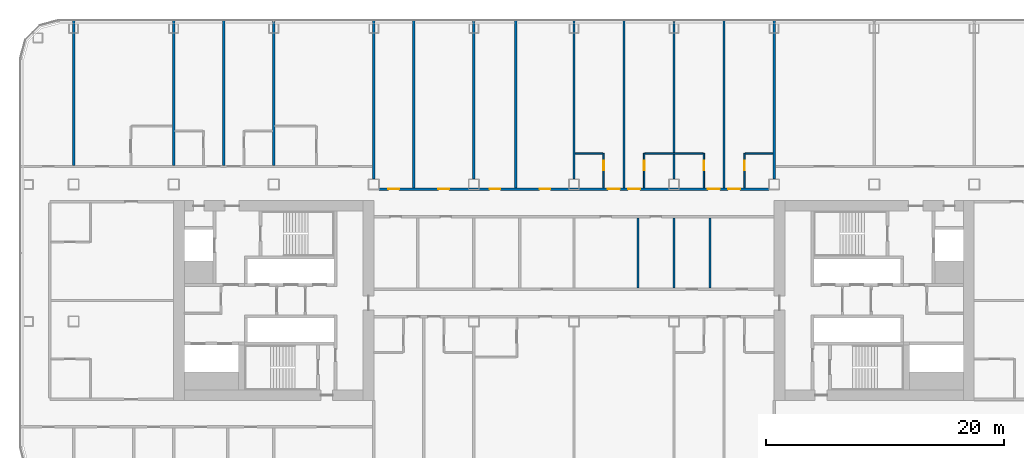
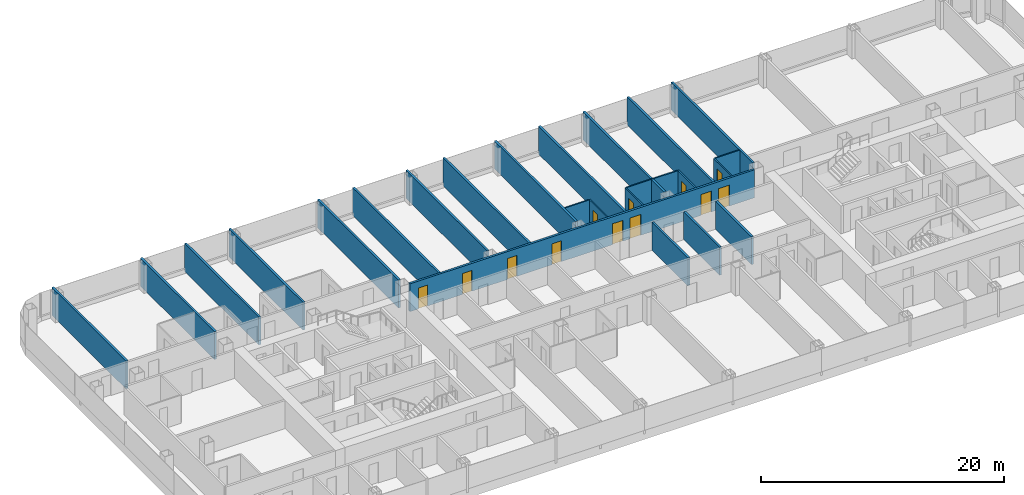
# One storey, part 18 of 29: 24 walls, 12 doors, 12 openings.
"""IFC4 building model written with IfcOpenShell, lengths in metres."""

import ifcopenshell
import ifcopenshell.guid

model = None  # the IFC model being written
_history = None  # IfcOwnerHistory: only IFC2X3 demands one
_inside = {}  # id of a spatial element -> (the spatial element, [elements in it])
_under = {}  # id of a project, library or spatial element -> (it, [spatial elements below it])
_declared = {}  # id of a project -> (the project, [libraries it declares])
_typed = {}  # id of a type object -> (the type object, [elements of that type])
_made_of = {}  # id of a material, layer set ... -> (it, [elements and type objects made of it])


def new_model(schema):
    """Start an empty IFC model of exactly this schema.

    Asked for "IFC4X3", IfcOpenShell would pick the latest addendum, in which some entities
    have other attributes; the version numbers below select the first issue.
    IFC2X3 requires an IfcOwnerHistory on every rooted entity: one is made here for all.
    """
    global model, _history
    if schema == "IFC4X3":
        model = ifcopenshell.file(schema_version=(4, 3, 0, 0))
    else:
        model = ifcopenshell.file(schema=schema)
    _inside.clear()
    _under.clear()
    _declared.clear()
    _typed.clear()
    _made_of.clear()
    _history = None
    if model.schema == "IFC2X3":
        org = make("IfcOrganization", Name="unknown")
        user = make(
            "IfcPersonAndOrganization",
            ThePerson=make("IfcPerson", FamilyName="unknown"),
            TheOrganization=org,
        )
        app = make(
            "IfcApplication",
            ApplicationDeveloper=org,
            Version="unknown",
            ApplicationFullName="unknown",
            ApplicationIdentifier="unknown",
        )
        _history = make(
            "IfcOwnerHistory",
            OwningUser=user,
            OwningApplication=app,
            ChangeAction="ADDED",
            CreationDate=0,
        )
    return model


def make(cls, **values):
    """One entity of the class cls with the attributes given. An attribute that is None is left unset."""
    return model.create_entity(
        cls, **{name: value for name, value in values.items() if value is not None}
    )


def rooted(cls, **values):
    """An entity with a GlobalId (a new one), such as an element, a storey or a relation."""
    return make(cls, GlobalId=ifcopenshell.guid.new(), OwnerHistory=_history, **values)


def si_unit(unit_type, name, prefix=None):
    """IfcSIUnit, for example si_unit("LENGTHUNIT", "METRE", prefix="MILLI")."""
    return make("IfcSIUnit", UnitType=unit_type, Prefix=prefix, Name=name)


def assignment(units):
    """IfcUnitAssignment: the units of a project."""
    return None if units is None else make("IfcUnitAssignment", Units=units)


def point(xyz):
    """IfcCartesianPoint."""
    return None if xyz is None else make("IfcCartesianPoint", Coordinates=xyz)


def direction(xyz):
    """IfcDirection."""
    return None if xyz is None else make("IfcDirection", DirectionRatios=xyz)


def frame(location, z_axis=None, x_axis=None):
    """IfcAxis2Placement3D, a coordinate frame: its origin and axes. An axis left out is left unset."""
    return make(
        "IfcAxis2Placement3D",
        Location=point(location),
        Axis=direction(z_axis),
        RefDirection=direction(x_axis),
    )


def frame_2d(location, x_axis=None):
    """IfcAxis2Placement2D, a coordinate frame in the plane: its origin and x axis."""
    return make(
        "IfcAxis2Placement2D", Location=point(location), RefDirection=direction(x_axis)
    )


def origin():
    """The frame at (0, 0, 0) with its axes left unset."""
    return frame((0.0, 0.0, 0.0))


def place(relative_to, where):
    """IfcLocalPlacement: puts the frame where relative to a parent placement (None: the world)."""
    return make(
        "IfcLocalPlacement", PlacementRelTo=relative_to, RelativePlacement=where
    )


def context(
    kind, dimensions, precision=None, world=None, true_north=None, identifier=None
):
    """IfcGeometricRepresentationContext, for example the 3D "Model" context."""
    return make(
        "IfcGeometricRepresentationContext",
        ContextIdentifier=identifier,
        ContextType=kind,
        CoordinateSpaceDimension=dimensions,
        Precision=precision,
        WorldCoordinateSystem=world,
        TrueNorth=true_north,
    )


def subcontext(parent, identifier, kind, view, scale=None):
    """IfcGeometricRepresentationSubContext, for example "Body" below "Model"."""
    return make(
        "IfcGeometricRepresentationSubContext",
        ContextIdentifier=identifier,
        ContextType=kind,
        ParentContext=parent,
        TargetScale=scale,
        TargetView=view,
    )


def project(units=None, contexts=None):
    """IfcProject with its units and contexts."""
    return rooted(
        "IfcProject",
        Name="project",
        RepresentationContexts=contexts,
        UnitsInContext=assignment(units),
    )


def spatial(cls, under=None, at=None, **own):
    """A site, building, storey or space (cls), placed at a placement, below another one or the project."""
    s = rooted(cls, ObjectPlacement=at, **own)
    if under is not None:
        _under.setdefault(under.id(), (under, []))[1].append(s)
    return s


def profile(cls, at=None, kind="AREA", **sizes):
    """A parametric profile (cls). Its sizes go by their IFC names, for example OverallWidth=200.0."""
    return make(cls, ProfileType=kind, Position=at, **sizes)


def rectangle(**sizes):
    """IfcRectangleProfileDef."""
    return profile("IfcRectangleProfileDef", **sizes)


def extrude(swept, where, along, depth):
    """IfcExtrudedAreaSolid: the profile swept, set in the frame where, extruded along a direction by depth."""
    return make(
        "IfcExtrudedAreaSolid",
        SweptArea=swept,
        Position=where,
        ExtrudedDirection=direction(along),
        Depth=depth,
    )


def shape(context_of_items, identifier, shape_type, items):
    """IfcShapeRepresentation: the items that make up one representation, for example the "Body"."""
    return make(
        "IfcShapeRepresentation",
        ContextOfItems=context_of_items,
        RepresentationIdentifier=identifier,
        RepresentationType=shape_type,
        Items=items,
    )


def material(Name=None, Category=None):
    """IfcMaterial."""
    return make("IfcMaterial", Name=Name, Category=Category)


def layer(
    of_material, thickness, ventilated=None, Name=None, Category=None, Priority=None
):
    """IfcMaterialLayer: one layer of a wall or slab, of a material (None: an air gap)."""
    return make(
        "IfcMaterialLayer",
        Material=of_material,
        LayerThickness=thickness,
        IsVentilated=ventilated,
        Name=Name,
        Category=Category,
        Priority=Priority,
    )


def layer_set(layers, Name=None):
    """IfcMaterialLayerSet."""
    return make("IfcMaterialLayerSet", MaterialLayers=layers, LayerSetName=Name)


def made_of(thing, what):
    """Note that an element or type object is made of a material, layer set ...; save() writes the relation."""
    if what is not None:
        _made_of.setdefault(what.id(), (what, []))[1].append(thing)
    return thing


def type_object(cls, material=None, **own):
    """A type object (cls), such as IfcWallType, which elements share."""
    return made_of(rooted(cls, **own), material)


def element(
    cls,
    number,
    at=None,
    inside=None,
    cuts=None,
    type_object=None,
    material=None,
    context=None,
    identifier="Body",
    shape_type=None,
    held_by="IfcProductDefinitionShape",
    body=None,
    shapes=None,
    **own,
):
    """One element of the class cls, such as IfcWall. Its Tag is "e" and its number.

    at: its placement. inside: the storey or other place that contains it. cuts: it is an
    opening in that element (IfcRelVoidsElement). A single representation is given by context,
    identifier, shape_type and body (its items); several are given by shapes. held_by: the class
    of the entity that holds the representations. save() writes the other relations.
    """
    e = rooted(cls, Tag="e%d" % number, ObjectPlacement=at, **own)
    if body is not None:
        shapes = [shape(context, identifier, shape_type, body)]
    if shapes is not None:
        e.Representation = make(held_by, Representations=shapes)
    if inside is not None:
        _inside.setdefault(inside.id(), (inside, []))[1].append(e)
    if cuts is not None:
        rooted(
            "IfcRelVoidsElement", RelatingBuildingElement=cuts, RelatedOpeningElement=e
        )
    if type_object is not None:
        _typed.setdefault(type_object.id(), (type_object, []))[1].append(e)
    return made_of(e, material)


def fill(opening, filler):
    """IfcRelFillsElement: the door or window that sits in an opening."""
    return rooted(
        "IfcRelFillsElement",
        RelatingOpeningElement=opening,
        RelatedBuildingElement=filler,
    )


def aggregate(whole, parts):
    """IfcRelAggregates: a whole, such as a stair, and the parts it consists of."""
    return rooted("IfcRelAggregates", RelatingObject=whole, RelatedObjects=parts)


def save(model, path):
    """Write the relations noted so far, then the file.

    IfcRelAggregates (storeys below a building ...), IfcRelContainedInSpatialStructure (elements
    in a storey), IfcRelDefinesByType, IfcRelAssociatesMaterial and IfcRelDeclares: one each for
    every whole, place, type object, material and project.
    """
    for whole, parts in _under.values():
        aggregate(whole, parts)
    for where, things in _inside.values():
        rooted(
            "IfcRelContainedInSpatialStructure",
            RelatedElements=things,
            RelatingStructure=where,
        )
    for kind, things in _typed.values():
        rooted("IfcRelDefinesByType", RelatedObjects=things, RelatingType=kind)
    for what, things in _made_of.values():
        rooted("IfcRelAssociatesMaterial", RelatedObjects=things, RelatingMaterial=what)
    for by, libraries in _declared.values():
        rooted("IfcRelDeclares", RelatingContext=by, RelatedDefinitions=libraries)
    model.write(path)


model = new_model("IFC4")

# Units and contexts
model_context = context("Model", 3, precision=1e-05, world=origin(), true_north=direction((0.0, 1.0)))
body_context = subcontext(model_context, "Body", "Model", "MODEL_VIEW")
ifc_project = project(units=[si_unit("LENGTHUNIT", "METRE"), si_unit("AREAUNIT", "SQUARE_METRE"), si_unit("VOLUMEUNIT", "CUBIC_METRE"), si_unit("PLANEANGLEUNIT", "RADIAN"), si_unit("MASSUNIT", "GRAM", prefix="KILO")], contexts=[model_context])

# Site, building, storey
site_placement = place(None, origin())
site = spatial("IfcSite", under=ifc_project, at=site_placement, CompositionType="ELEMENT")
building_placement = place(site_placement, origin())
building = spatial("IfcBuilding", under=site, at=building_placement, Name="Hakoniwa Tower and Hamabe Station Hall", CompositionType="ELEMENT")
storey_placement = place(building_placement, frame((0.0, 0.0, 78.60009765625)))
storey = spatial("IfcBuildingStorey", under=building, at=storey_placement, Name="L21", CompositionType="ELEMENT", Elevation=78.60009765625)

# Walls
ifc_material_1 = material(Name="Gypsum board partition", Category="gypsum")
ifc_layer_1 = layer(ifc_material_1, 0.125)
ifc_layer_set_1 = layer_set([ifc_layer_1], Name="Bathroom Partition 125")
wall_type_1 = type_object("IfcWallType", Name="Bathroom Partition 125", PredefinedType="PARTITIONING", material=ifc_layer_set_1)
wall_1_placement = place(storey_placement, frame((0.10009765625, 12.35009765625, 0.0), z_axis=(0.0, 0.0, 1.0), x_axis=(1.0, 0.0, 0.0)))
element("IfcWall", 1, at=wall_1_placement, inside=storey, type_object=wall_type_1, Name="GW-L21-024", PredefinedType="PARTITIONING", context=body_context, shape_type="SweptSolid", body=[
    extrude(rectangle(XDim=2.33740234375, YDim=0.125, at=frame_2d((1.168701171875, 0.0))), origin(), (0.0, 0.0, 1.0), 2.7998046875),
])
wall_2_placement = place(storey_placement, frame((5.96240234375, 12.35009765625, 0.0), z_axis=(0.0, 0.0, 1.0), x_axis=(1.0, 0.0, 0.0)))
element("IfcWall", 2, at=wall_2_placement, inside=storey, type_object=wall_type_1, Name="GW-L21-025", PredefinedType="PARTITIONING", context=body_context, shape_type="SweptSolid", body=[
    extrude(rectangle(XDim=4.875, YDim=0.125, at=frame_2d((2.4375, 0.0))), origin(), (0.0, 0.0, 1.0), 2.7998046875),
])
wall_3_placement = place(storey_placement, frame((14.362548828125, 12.35009765625, 0.0), z_axis=(0.0, 0.0, 1.0), x_axis=(1.0, 0.0, 0.0)))
element("IfcWall", 3, at=wall_3_placement, inside=storey, type_object=wall_type_1, Name="GW-L21-026", PredefinedType="PARTITIONING", context=body_context, shape_type="SweptSolid", body=[
    extrude(rectangle(XDim=2.33740234375, YDim=0.125, at=frame_2d((1.168701171875, 0.0))), origin(), (0.0, 0.0, 1.0), 2.7998046875),
])

# Wall, opening, door
wall_4_placement = place(storey_placement, frame((2.5, 9.449951171875, 0.0), z_axis=(0.0, 0.0, 1.0), x_axis=(0.0, 1.0, 0.0)))
wall_4 = element("IfcWall", 4, at=wall_4_placement, inside=storey, type_object=wall_type_1, Name="GW-L21-063", PredefinedType="PARTITIONING", context=body_context, shape_type="SweptSolid", body=[
    extrude(rectangle(XDim=2.900146484375, YDim=0.125, at=frame_2d((1.4501953125, 0.0))), origin(), (0.0, 0.0, 1.0), 2.7998046875),
])
opening_1_placement = place(wall_4_placement, frame((1.5, 0.0, 0.0)))
opening_1 = element("IfcOpeningElement", 5, at=opening_1_placement, cuts=wall_4, Name="Opening GD-G2B0-60", PredefinedType="OPENING", context=body_context, shape_type="SweptSolid", body=[
    extrude(rectangle(XDim=0.800048828125, YDim=2.10009765625, at=frame_2d((0.39990234375, 1.050048828125))), frame((0.0, 0.072509765625, 0.0), z_axis=(0.0, -1.0, 0.0), x_axis=(1.0, 0.0, 0.0)), (0.0, 0.0, 1.0), 0.14501953125),
])
ifc_material_2 = material(Name="Timber door leaf", Category="wood")
door_type_1 = type_object("IfcDoorType", Name="Bathroom Door 800", OperationType="SINGLE_SWING_LEFT", PredefinedType="DOOR", material=ifc_material_2)
door_1_placement = place(opening_1_placement, origin())
door_1 = element("IfcDoor", 6, at=door_1_placement, inside=storey, type_object=door_type_1, Name="Door GD-G2B0-60", OperationType="SINGLE_SWING_LEFT", OverallHeight=2.10009765625, OverallWidth=0.800048828125, PredefinedType="DOOR", context=body_context, shape_type="SweptSolid", body=[
    extrude(rectangle(XDim=0.800048828125, YDim=2.10009765625, at=frame_2d((0.39990234375, 1.050048828125))), frame((0.0, 0.02490234375, 0.0), z_axis=(0.0, -1.0, 0.0), x_axis=(1.0, 0.0, 0.0)), (0.0, 0.0, 1.0), 0.050048828125),
])
fill(opening_1, door_1)

wall_5_placement = place(storey_placement, frame((5.89990234375, 9.449951171875, 0.0), z_axis=(0.0, 0.0, 1.0), x_axis=(0.0, 1.0, 0.0)))
wall_5 = element("IfcWall", 7, at=wall_5_placement, inside=storey, type_object=wall_type_1, Name="GW-L21-066", PredefinedType="PARTITIONING", context=body_context, shape_type="SweptSolid", body=[
    extrude(rectangle(XDim=2.900146484375, YDim=0.125, at=frame_2d((1.4501953125, 0.0))), origin(), (0.0, 0.0, 1.0), 2.7998046875),
])
opening_2_placement = place(wall_5_placement, frame((1.5, 0.0, 0.0)))
opening_2 = element("IfcOpeningElement", 8, at=opening_2_placement, cuts=wall_5, Name="Opening GD-G2B0-61", PredefinedType="OPENING", context=body_context, shape_type="SweptSolid", body=[
    extrude(rectangle(XDim=0.800048828125, YDim=2.10009765625, at=frame_2d((0.39990234375, 1.050048828125))), frame((0.0, 0.072509765625, 0.0), z_axis=(0.0, -1.0, 0.0), x_axis=(1.0, 0.0, 0.0)), (0.0, 0.0, 1.0), 0.14501953125),
])
door_2_placement = place(opening_2_placement, origin())
door_2 = element("IfcDoor", 9, at=door_2_placement, inside=storey, type_object=door_type_1, Name="Door GD-G2B0-61", OperationType="SINGLE_SWING_RIGHT", OverallHeight=2.10009765625, OverallWidth=0.800048828125, PredefinedType="DOOR", context=body_context, shape_type="SweptSolid", body=[
    extrude(rectangle(XDim=0.800048828125, YDim=2.10009765625, at=frame_2d((0.39990234375, 1.050048828125))), frame((0.0, 0.02490234375, 0.0), z_axis=(0.0, -1.0, 0.0), x_axis=(1.0, 0.0, 0.0)), (0.0, 0.0, 1.0), 0.050048828125),
])
fill(opening_2, door_2)

wall_6_placement = place(storey_placement, frame((10.89990234375, 9.449951171875, 0.0), z_axis=(0.0, 0.0, 1.0), x_axis=(0.0, 1.0, 0.0)))
wall_6 = element("IfcWall", 10, at=wall_6_placement, inside=storey, type_object=wall_type_1, Name="GW-L21-071", PredefinedType="PARTITIONING", context=body_context, shape_type="SweptSolid", body=[
    extrude(rectangle(XDim=2.900146484375, YDim=0.125, at=frame_2d((1.4501953125, 0.0))), origin(), (0.0, 0.0, 1.0), 2.7998046875),
])
opening_3_placement = place(wall_6_placement, frame((1.5, 0.0, 0.0)))
opening_3 = element("IfcOpeningElement", 11, at=opening_3_placement, cuts=wall_6, Name="Opening GD-G2B0-63", PredefinedType="OPENING", context=body_context, shape_type="SweptSolid", body=[
    extrude(rectangle(XDim=0.800048828125, YDim=2.10009765625, at=frame_2d((0.39990234375, 1.050048828125))), frame((0.0, 0.072509765625, 0.0), z_axis=(0.0, -1.0, 0.0), x_axis=(1.0, 0.0, 0.0)), (0.0, 0.0, 1.0), 0.14501953125),
])
door_3_placement = place(opening_3_placement, origin())
door_3 = element("IfcDoor", 12, at=door_3_placement, inside=storey, type_object=door_type_1, Name="Door GD-G2B0-63", OperationType="SINGLE_SWING_LEFT", OverallHeight=2.10009765625, OverallWidth=0.800048828125, PredefinedType="DOOR", context=body_context, shape_type="SweptSolid", body=[
    extrude(rectangle(XDim=0.800048828125, YDim=2.10009765625, at=frame_2d((0.39990234375, 1.050048828125))), frame((0.0, 0.02490234375, 0.0), z_axis=(0.0, -1.0, 0.0), x_axis=(1.0, 0.0, 0.0)), (0.0, 0.0, 1.0), 0.050048828125),
])
fill(opening_3, door_3)

wall_7_placement = place(storey_placement, frame((14.300048828125, 9.449951171875, 0.0), z_axis=(0.0, 0.0, 1.0), x_axis=(0.0, 1.0, 0.0)))
wall_7 = element("IfcWall", 13, at=wall_7_placement, inside=storey, type_object=wall_type_1, Name="GW-L21-076", PredefinedType="PARTITIONING", context=body_context, shape_type="SweptSolid", body=[
    extrude(rectangle(XDim=2.900146484375, YDim=0.125, at=frame_2d((1.4501953125, 0.0))), origin(), (0.0, 0.0, 1.0), 2.7998046875),
])
opening_4_placement = place(wall_7_placement, frame((1.5, 0.0, 0.0)))
opening_4 = element("IfcOpeningElement", 14, at=opening_4_placement, cuts=wall_7, Name="Opening GD-G2B0-65", PredefinedType="OPENING", context=body_context, shape_type="SweptSolid", body=[
    extrude(rectangle(XDim=0.800048828125, YDim=2.10009765625, at=frame_2d((0.39990234375, 1.050048828125))), frame((0.0, 0.072509765625, 0.0), z_axis=(0.0, -1.0, 0.0), x_axis=(1.0, 0.0, 0.0)), (0.0, 0.0, 1.0), 0.14501953125),
])
door_4_placement = place(opening_4_placement, origin())
door_4 = element("IfcDoor", 15, at=door_4_placement, inside=storey, type_object=door_type_1, Name="Door GD-G2B0-65", OperationType="SINGLE_SWING_RIGHT", OverallHeight=2.10009765625, OverallWidth=0.800048828125, PredefinedType="DOOR", context=body_context, shape_type="SweptSolid", body=[
    extrude(rectangle(XDim=0.800048828125, YDim=2.10009765625, at=frame_2d((0.39990234375, 1.050048828125))), frame((0.0, 0.02490234375, 0.0), z_axis=(0.0, -1.0, 0.0), x_axis=(1.0, 0.0, 0.0)), (0.0, 0.0, 1.0), 0.050048828125),
])
fill(opening_4, door_4)

# Wall, openings, doors
ifc_material_3 = material(Name="Fire-rated gypsum board partition", Category="gypsum")
ifc_layer_2 = layer(ifc_material_3, 0.199951171875)
ifc_layer_set_2 = layer_set([ifc_layer_2], Name="Corridor Wall 200")
wall_type_2 = type_object("IfcWallType", Name="Corridor Wall 200", PredefinedType="PARTITIONING", material=ifc_layer_set_2)
wall_8_placement = place(storey_placement, frame((-16.360107421875, 9.35009765625, 0.0), z_axis=(0.0, 0.0, 1.0), x_axis=(1.0, 0.0, 0.0)))
wall_8 = element("IfcWall", 16, at=wall_8_placement, inside=storey, type_object=wall_type_2, Name="GW-L21-021", PredefinedType="PARTITIONING", context=body_context, shape_type="SweptSolid", body=[
    extrude(rectangle(XDim=32.72021484375, YDim=0.199951171875, at=frame_2d((16.360107421875, 0.0))), origin(), (0.0, 0.0, 1.0), 2.7998046875),
])
opening_5_placement = place(wall_8_placement, frame((0.7900390625, 0.0, 0.0)))
opening_5 = element("IfcOpeningElement", 17, at=opening_5_placement, cuts=wall_8, Name="Opening GD-G2B0-36", PredefinedType="OPENING", context=body_context, shape_type="SweptSolid", body=[
    extrude(rectangle(XDim=0.89990234375, YDim=2.10009765625, at=frame_2d((0.449951171875, 1.050048828125))), frame((0.0, 0.10986328125, 0.0), z_axis=(0.0, -1.0, 0.0), x_axis=(1.0, 0.0, 0.0)), (0.0, 0.0, 1.0), 0.219970703125),
])
opening_6_placement = place(wall_8_placement, frame((4.989990234375, 0.0, 0.0)))
opening_6 = element("IfcOpeningElement", 18, at=opening_6_placement, cuts=wall_8, Name="Opening GD-G2B0-37", PredefinedType="OPENING", context=body_context, shape_type="SweptSolid", body=[
    extrude(rectangle(XDim=0.89990234375, YDim=2.10009765625, at=frame_2d((0.449951171875, 1.050048828125))), frame((0.0, 0.10986328125, 0.0), z_axis=(0.0, -1.0, 0.0), x_axis=(1.0, 0.0, 0.0)), (0.0, 0.0, 1.0), 0.219970703125),
])
opening_7_placement = place(wall_8_placement, frame((9.27490234375, 0.0, 0.0)))
opening_7 = element("IfcOpeningElement", 19, at=opening_7_placement, cuts=wall_8, Name="Opening GD-G2B0-38", PredefinedType="OPENING", context=body_context, shape_type="SweptSolid", body=[
    extrude(rectangle(XDim=0.89990234375, YDim=2.10009765625, at=frame_2d((0.449951171875, 1.050048828125))), frame((0.0, 0.10986328125, 0.0), z_axis=(0.0, -1.0, 0.0), x_axis=(1.0, 0.0, 0.0)), (0.0, 0.0, 1.0), 0.219970703125),
])
opening_8_placement = place(wall_8_placement, frame((13.47509765625, 0.0, 0.0)))
opening_8 = element("IfcOpeningElement", 20, at=opening_8_placement, cuts=wall_8, Name="Opening GD-G2B0-39", PredefinedType="OPENING", context=body_context, shape_type="SweptSolid", body=[
    extrude(rectangle(XDim=0.89990234375, YDim=2.10009765625, at=frame_2d((0.449951171875, 1.050048828125))), frame((0.0, 0.10986328125, 0.0), z_axis=(0.0, -1.0, 0.0), x_axis=(1.0, 0.0, 0.0)), (0.0, 0.0, 1.0), 0.219970703125),
])
opening_9_placement = place(wall_8_placement, frame((19.2099609375, 0.0, 0.0)))
opening_9 = element("IfcOpeningElement", 21, at=opening_9_placement, cuts=wall_8, Name="Opening GD-G2B0-40", PredefinedType="OPENING", context=body_context, shape_type="SweptSolid", body=[
    extrude(rectangle(XDim=1.0, YDim=2.10009765625, at=frame_2d((0.5, 1.050048828125))), frame((0.0, 0.10986328125, 0.0), z_axis=(0.0, -1.0, 0.0), x_axis=(1.0, 0.0, 0.0)), (0.0, 0.0, 1.0), 0.219970703125),
])
opening_10_placement = place(wall_8_placement, frame((20.909912109375, 0.0, 0.0)))
opening_10 = element("IfcOpeningElement", 22, at=opening_10_placement, cuts=wall_8, Name="Opening GD-G2B0-41", PredefinedType="OPENING", context=body_context, shape_type="SweptSolid", body=[
    extrude(rectangle(XDim=1.0, YDim=2.10009765625, at=frame_2d((0.5, 1.050048828125))), frame((0.0, 0.10986328125, 0.0), z_axis=(0.0, -1.0, 0.0), x_axis=(1.0, 0.0, 0.0)), (0.0, 0.0, 1.0), 0.219970703125),
])
opening_11_placement = place(wall_8_placement, frame((27.610107421875, 0.0, 0.0)))
opening_11 = element("IfcOpeningElement", 23, at=opening_11_placement, cuts=wall_8, Name="Opening GD-G2B0-42", PredefinedType="OPENING", context=body_context, shape_type="SweptSolid", body=[
    extrude(rectangle(XDim=1.0, YDim=2.10009765625, at=frame_2d((0.5, 1.050048828125))), frame((0.0, 0.10986328125, 0.0), z_axis=(0.0, -1.0, 0.0), x_axis=(1.0, 0.0, 0.0)), (0.0, 0.0, 1.0), 0.219970703125),
])
opening_12_placement = place(wall_8_placement, frame((29.31005859375, 0.0, 0.0)))
opening_12 = element("IfcOpeningElement", 24, at=opening_12_placement, cuts=wall_8, Name="Opening GD-G2B0-43", PredefinedType="OPENING", context=body_context, shape_type="SweptSolid", body=[
    extrude(rectangle(XDim=1.0, YDim=2.10009765625, at=frame_2d((0.5, 1.050048828125))), frame((0.0, 0.10986328125, 0.0), z_axis=(0.0, -1.0, 0.0), x_axis=(1.0, 0.0, 0.0)), (0.0, 0.0, 1.0), 0.219970703125),
])
ifc_material_4 = material(Name="Timber door leaf", Category="wood")
door_type_2 = type_object("IfcDoorType", Name="Guest Entrance Door 1000", OperationType="SINGLE_SWING_LEFT", PredefinedType="DOOR", material=ifc_material_4)
door_5_placement = place(opening_9_placement, origin())
door_5 = element("IfcDoor", 25, at=door_5_placement, inside=storey, type_object=door_type_2, Name="Door GD-G2B0-40", OperationType="SINGLE_SWING_RIGHT", OverallHeight=2.10009765625, OverallWidth=1.0, PredefinedType="DOOR", context=body_context, shape_type="SweptSolid", body=[
    extrude(rectangle(XDim=1.0, YDim=2.10009765625, at=frame_2d((0.5, 1.050048828125))), frame((0.0, 0.02490234375, 0.0), z_axis=(0.0, -1.0, 0.0), x_axis=(1.0, 0.0, 0.0)), (0.0, 0.0, 1.0), 0.050048828125),
])
fill(opening_9, door_5)
door_6_placement = place(opening_10_placement, origin())
door_6 = element("IfcDoor", 26, at=door_6_placement, inside=storey, type_object=door_type_2, Name="Door GD-G2B0-41", OperationType="SINGLE_SWING_LEFT", OverallHeight=2.10009765625, OverallWidth=1.0, PredefinedType="DOOR", context=body_context, shape_type="SweptSolid", body=[
    extrude(rectangle(XDim=1.0, YDim=2.10009765625, at=frame_2d((0.5, 1.050048828125))), frame((0.0, 0.02490234375, 0.0), z_axis=(0.0, -1.0, 0.0), x_axis=(1.0, 0.0, 0.0)), (0.0, 0.0, 1.0), 0.050048828125),
])
fill(opening_10, door_6)
door_7_placement = place(opening_11_placement, origin())
door_7 = element("IfcDoor", 27, at=door_7_placement, inside=storey, type_object=door_type_2, Name="Door GD-G2B0-42", OperationType="SINGLE_SWING_RIGHT", OverallHeight=2.10009765625, OverallWidth=1.0, PredefinedType="DOOR", context=body_context, shape_type="SweptSolid", body=[
    extrude(rectangle(XDim=1.0, YDim=2.10009765625, at=frame_2d((0.5, 1.050048828125))), frame((0.0, 0.02490234375, 0.0), z_axis=(0.0, -1.0, 0.0), x_axis=(1.0, 0.0, 0.0)), (0.0, 0.0, 1.0), 0.050048828125),
])
fill(opening_11, door_7)
door_8_placement = place(opening_12_placement, origin())
door_8 = element("IfcDoor", 28, at=door_8_placement, inside=storey, type_object=door_type_2, Name="Door GD-G2B0-43", OperationType="SINGLE_SWING_LEFT", OverallHeight=2.10009765625, OverallWidth=1.0, PredefinedType="DOOR", context=body_context, shape_type="SweptSolid", body=[
    extrude(rectangle(XDim=1.0, YDim=2.10009765625, at=frame_2d((0.5, 1.050048828125))), frame((0.0, 0.02490234375, 0.0), z_axis=(0.0, -1.0, 0.0), x_axis=(1.0, 0.0, 0.0)), (0.0, 0.0, 1.0), 0.050048828125),
])
fill(opening_12, door_8)
ifc_material_5 = material(Name="Timber door leaf", Category="wood")
door_type_3 = type_object("IfcDoorType", Name="Service Door 900", OperationType="SINGLE_SWING_LEFT", PredefinedType="DOOR", material=ifc_material_5)
door_9_placement = place(opening_5_placement, origin())
door_9 = element("IfcDoor", 29, at=door_9_placement, inside=storey, type_object=door_type_3, Name="Door GD-G2B0-36", OperationType="SINGLE_SWING_LEFT", OverallHeight=2.10009765625, OverallWidth=0.89990234375, PredefinedType="DOOR", context=body_context, shape_type="SweptSolid", body=[
    extrude(rectangle(XDim=0.89990234375, YDim=2.10009765625, at=frame_2d((0.449951171875, 1.050048828125))), frame((0.0, 0.02490234375, 0.0), z_axis=(0.0, -1.0, 0.0), x_axis=(1.0, 0.0, 0.0)), (0.0, 0.0, 1.0), 0.050048828125),
])
fill(opening_5, door_9)
door_10_placement = place(opening_6_placement, origin())
door_10 = element("IfcDoor", 30, at=door_10_placement, inside=storey, type_object=door_type_3, Name="Door GD-G2B0-37", OperationType="SINGLE_SWING_RIGHT", OverallHeight=2.10009765625, OverallWidth=0.89990234375, PredefinedType="DOOR", context=body_context, shape_type="SweptSolid", body=[
    extrude(rectangle(XDim=0.89990234375, YDim=2.10009765625, at=frame_2d((0.449951171875, 1.050048828125))), frame((0.0, 0.02490234375, 0.0), z_axis=(0.0, -1.0, 0.0), x_axis=(1.0, 0.0, 0.0)), (0.0, 0.0, 1.0), 0.050048828125),
])
fill(opening_6, door_10)
door_11_placement = place(opening_7_placement, origin())
door_11 = element("IfcDoor", 31, at=door_11_placement, inside=storey, type_object=door_type_3, Name="Door GD-G2B0-38", OperationType="SINGLE_SWING_LEFT", OverallHeight=2.10009765625, OverallWidth=0.89990234375, PredefinedType="DOOR", context=body_context, shape_type="SweptSolid", body=[
    extrude(rectangle(XDim=0.89990234375, YDim=2.10009765625, at=frame_2d((0.449951171875, 1.050048828125))), frame((0.0, 0.02490234375, 0.0), z_axis=(0.0, -1.0, 0.0), x_axis=(1.0, 0.0, 0.0)), (0.0, 0.0, 1.0), 0.050048828125),
])
fill(opening_7, door_11)
door_12_placement = place(opening_8_placement, origin())
door_12 = element("IfcDoor", 32, at=door_12_placement, inside=storey, type_object=door_type_3, Name="Door GD-G2B0-39", OperationType="SINGLE_SWING_RIGHT", OverallHeight=2.10009765625, OverallWidth=0.89990234375, PredefinedType="DOOR", context=body_context, shape_type="SweptSolid", body=[
    extrude(rectangle(XDim=0.89990234375, YDim=2.10009765625, at=frame_2d((0.449951171875, 1.050048828125))), frame((0.0, 0.02490234375, 0.0), z_axis=(0.0, -1.0, 0.0), x_axis=(1.0, 0.0, 0.0)), (0.0, 0.0, 1.0), 0.050048828125),
])
fill(opening_8, door_12)

# Walls
ifc_material_6 = material(Name="Fire-rated gypsum board partition", Category="gypsum")
ifc_layer_3 = layer(ifc_material_6, 0.199951171875)
ifc_layer_set_3 = layer_set([ifc_layer_3], Name="Party Wall 200")
wall_type_3 = type_object("IfcWallType", Name="Party Wall 200", PredefinedType="PARTITIONING", material=ifc_layer_set_3)
for number, where, z_axis, x_axis, name in (
    (33, (-42.0, 11.35009765625, 0.0), (0.0, 0.0, 1.0), (0.0, 1.0, 0.0), "GW-L21-033"),
    (34, (-33.60009765625, 11.35009765625, 0.0), (0.0, 0.0, 1.0), (0.0, 1.0, 0.0), "GW-L21-039"),
    (35, (-29.39990234375, 11.35009765625, 0.0), (0.0, 0.0, 1.0), (0.0, 1.0, 0.0), "GW-L21-041"),
    (36, (-25.199951171875, 11.35009765625, 0.0), (0.0, 0.0, 1.0), (0.0, 1.0, 0.0), "GW-L21-045"),
):
    element("IfcWall", number, at=place(storey_placement, frame(where, z_axis=z_axis, x_axis=x_axis)), inside=storey, type_object=wall_type_3, Name=name, PredefinedType="PARTITIONING", context=body_context, shape_type="SweptSolid", body=[
        extrude(rectangle(XDim=12.199951171875, YDim=0.199951171875, at=frame_2d((6.10009765625, 0.0))), origin(), (0.0, 0.0, 1.0), 2.7998046875),
    ])
wall_9_placement = place(storey_placement, frame((-16.800048828125, 10.18994140625, 0.0), z_axis=(0.0, 0.0, 1.0), x_axis=(0.0, 1.0, 0.0)))
element("IfcWall", 37, at=wall_9_placement, inside=storey, type_object=wall_type_3, Name="GW-L21-048", PredefinedType="PARTITIONING", context=body_context, shape_type="SweptSolid", body=[
    extrude(rectangle(XDim=13.360107421875, YDim=0.199951171875, at=frame_2d((6.68017578125, 0.0))), origin(), (0.0, 0.0, 1.0), 2.7998046875),
])
wall_10_placement = place(storey_placement, frame((-13.43994140625, 9.449951171875, 0.0), z_axis=(0.0, 0.0, 1.0), x_axis=(0.0, 1.0, 0.0)))
element("IfcWall", 38, at=wall_10_placement, inside=storey, type_object=wall_type_3, Name="GW-L21-050", PredefinedType="PARTITIONING", context=body_context, shape_type="SweptSolid", body=[
    extrude(rectangle(XDim=14.10009765625, YDim=0.199951171875, at=frame_2d((7.050048828125, 0.0))), origin(), (0.0, 0.0, 1.0), 2.7998046875),
])
wall_11_placement = place(storey_placement, frame((-8.39990234375, 10.18994140625, 0.0), z_axis=(0.0, 0.0, 1.0), x_axis=(0.0, 1.0, 0.0)))
element("IfcWall", 39, at=wall_11_placement, inside=storey, type_object=wall_type_3, Name="GW-L21-056", PredefinedType="PARTITIONING", context=body_context, shape_type="SweptSolid", body=[
    extrude(rectangle(XDim=13.360107421875, YDim=0.199951171875, at=frame_2d((6.68017578125, 0.0))), origin(), (0.0, 0.0, 1.0), 2.7998046875),
])
wall_12_placement = place(storey_placement, frame((-4.8701171875, 9.449951171875, 0.0), z_axis=(0.0, 0.0, 1.0), x_axis=(0.0, 1.0, 0.0)))
element("IfcWall", 40, at=wall_12_placement, inside=storey, type_object=wall_type_3, Name="GW-L21-057", PredefinedType="PARTITIONING", context=body_context, shape_type="SweptSolid", body=[
    extrude(rectangle(XDim=14.10009765625, YDim=0.199951171875, at=frame_2d((7.050048828125, 0.0))), origin(), (0.0, 0.0, 1.0), 2.7998046875),
])
wall_13_placement = place(storey_placement, frame((0.0, 10.18994140625, 0.0), z_axis=(0.0, 0.0, 1.0), x_axis=(0.0, 1.0, 0.0)))
element("IfcWall", 41, at=wall_13_placement, inside=storey, type_object=wall_type_3, Name="GW-L21-062", PredefinedType="PARTITIONING", context=body_context, shape_type="SweptSolid", body=[
    extrude(rectangle(XDim=13.360107421875, YDim=0.199951171875, at=frame_2d((6.68017578125, 0.0))), origin(), (0.0, 0.0, 1.0), 2.7998046875),
])
wall_14_placement = place(storey_placement, frame((4.199951171875, 9.449951171875, 0.0), z_axis=(0.0, 0.0, 1.0), x_axis=(0.0, 1.0, 0.0)))
element("IfcWall", 42, at=wall_14_placement, inside=storey, type_object=wall_type_3, Name="GW-L21-064", PredefinedType="PARTITIONING", context=body_context, shape_type="SweptSolid", body=[
    extrude(rectangle(XDim=14.10009765625, YDim=0.199951171875, at=frame_2d((7.050048828125, 0.0))), origin(), (0.0, 0.0, 1.0), 2.7998046875),
])
for number, where, z_axis, x_axis, name in (
    (43, (5.3798828125, 1.050048828125, 0.0), (0.0, 0.0, 1.0), (0.0, 1.0, 0.0), "GW-L21-065"),
    (44, (8.39990234375, 1.050048828125, 0.0), (0.0, 0.0, 1.0), (0.0, 1.0, 0.0), "GW-L21-068"),
):
    element("IfcWall", number, at=place(storey_placement, frame(where, z_axis=z_axis, x_axis=x_axis)), inside=storey, type_object=wall_type_3, Name=name, PredefinedType="PARTITIONING", context=body_context, shape_type="SweptSolid", body=[
        extrude(rectangle(XDim=5.89990234375, YDim=0.199951171875, at=frame_2d((2.949951171875, 0.0))), origin(), (0.0, 0.0, 1.0), 2.7998046875),
    ])
wall_15_placement = place(storey_placement, frame((8.39990234375, 10.18994140625, 0.0), z_axis=(0.0, 0.0, 1.0), x_axis=(0.0, 1.0, 0.0)))
element("IfcWall", 45, at=wall_15_placement, inside=storey, type_object=wall_type_3, Name="GW-L21-069", PredefinedType="PARTITIONING", context=body_context, shape_type="SweptSolid", body=[
    extrude(rectangle(XDim=13.360107421875, YDim=0.199951171875, at=frame_2d((6.68017578125, 0.0))), origin(), (0.0, 0.0, 1.0), 2.7998046875),
])
wall_16_placement = place(storey_placement, frame((11.419921875, 1.050048828125, 0.0), z_axis=(0.0, 0.0, 1.0), x_axis=(0.0, 1.0, 0.0)))
element("IfcWall", 46, at=wall_16_placement, inside=storey, type_object=wall_type_3, Name="GW-L21-072", PredefinedType="PARTITIONING", context=body_context, shape_type="SweptSolid", body=[
    extrude(rectangle(XDim=5.89990234375, YDim=0.199951171875, at=frame_2d((2.949951171875, 0.0))), origin(), (0.0, 0.0, 1.0), 2.7998046875),
])
wall_17_placement = place(storey_placement, frame((12.60009765625, 9.449951171875, 0.0), z_axis=(0.0, 0.0, 1.0), x_axis=(0.0, 1.0, 0.0)))
element("IfcWall", 47, at=wall_17_placement, inside=storey, type_object=wall_type_3, Name="GW-L21-074", PredefinedType="PARTITIONING", context=body_context, shape_type="SweptSolid", body=[
    extrude(rectangle(XDim=14.10009765625, YDim=0.199951171875, at=frame_2d((7.050048828125, 0.0))), origin(), (0.0, 0.0, 1.0), 2.7998046875),
])
wall_18_placement = place(storey_placement, frame((16.800048828125, 10.18994140625, 0.0), z_axis=(0.0, 0.0, 1.0), x_axis=(0.0, 1.0, 0.0)))
element("IfcWall", 48, at=wall_18_placement, inside=storey, type_object=wall_type_3, Name="GW-L21-078", PredefinedType="PARTITIONING", context=body_context, shape_type="SweptSolid", body=[
    extrude(rectangle(XDim=13.360107421875, YDim=0.199951171875, at=frame_2d((6.68017578125, 0.0))), origin(), (0.0, 0.0, 1.0), 2.7998046875),
])

save(model, "model.ifc")
